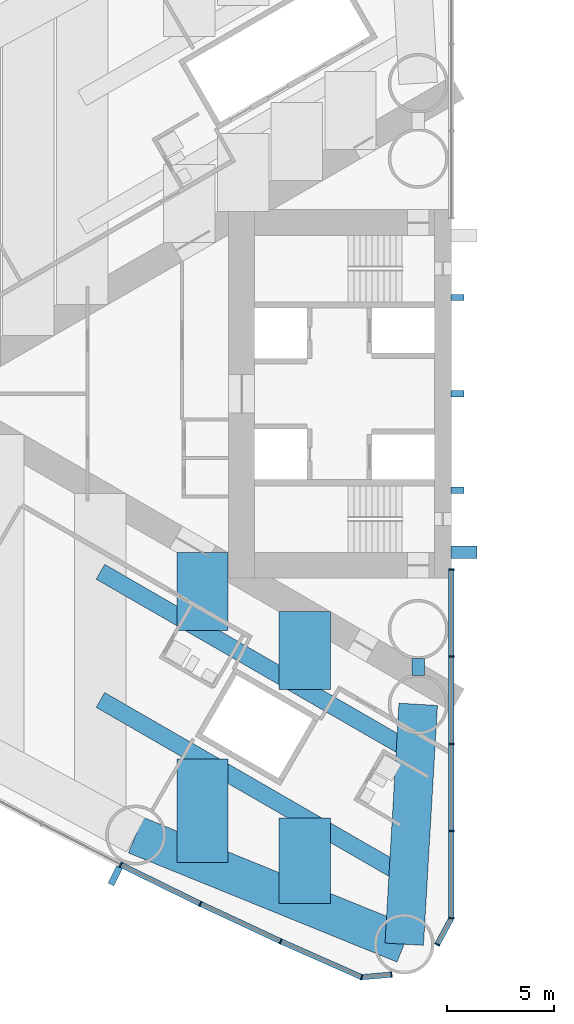
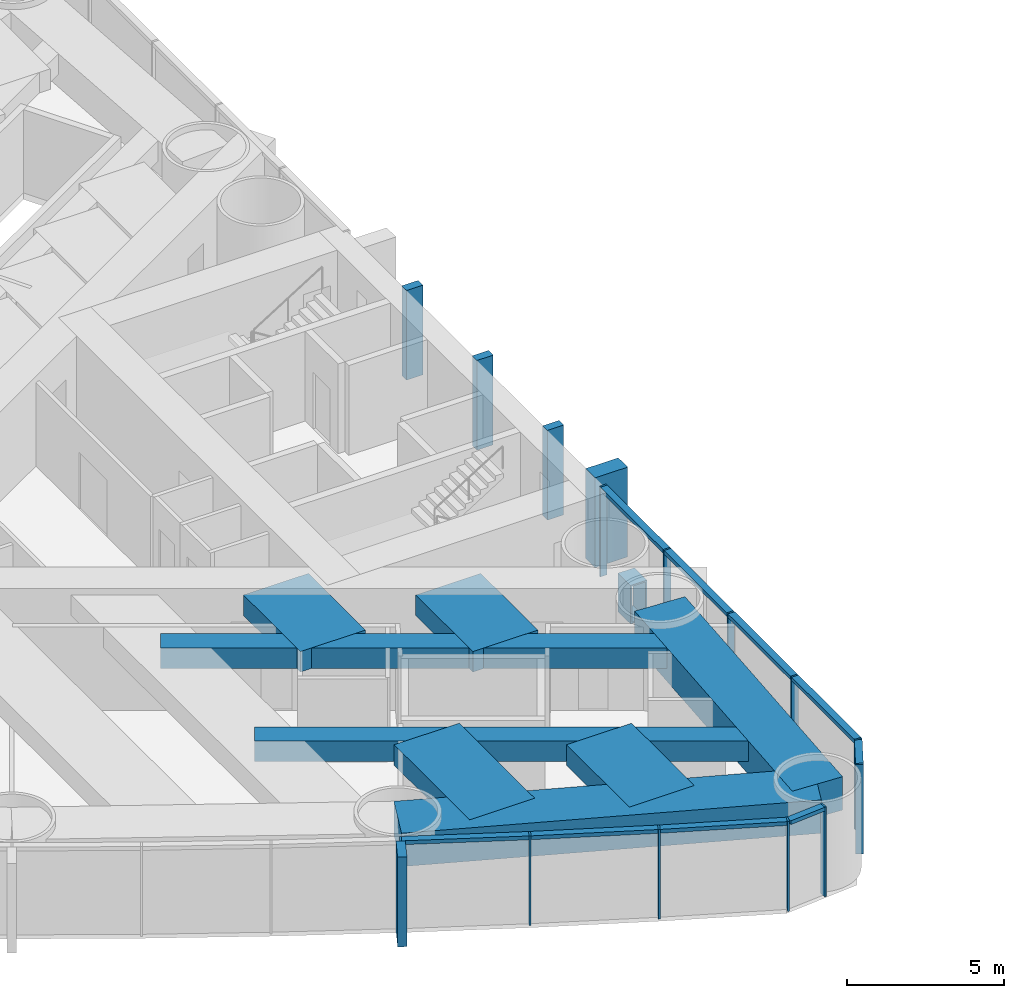
# One storey, part 3 of 18: 25 members, 9 beams, 2 elements without a shape of their own.
"""IFC4 building model written with IfcOpenShell, lengths in metres."""

from ifc_helpers import new_model, si_unit, direction, frame, origin, origin_2d, place, context, subcontext, project, spatial, rectangle, hollow_rectangle, extrude, material, material_profile, profile_set, type_object, element, aggregate, save


model = new_model("IFC4")

# Units and contexts
model_context = context("Model", 3, precision=1e-05, world=origin(), true_north=direction((0.0, 1.0)))
body_context = subcontext(model_context, "Body", "Model", "MODEL_VIEW")
ifc_project = project(units=[si_unit("LENGTHUNIT", "METRE"), si_unit("AREAUNIT", "SQUARE_METRE"), si_unit("VOLUMEUNIT", "CUBIC_METRE"), si_unit("PLANEANGLEUNIT", "RADIAN"), si_unit("MASSUNIT", "GRAM", prefix="KILO")], contexts=[model_context])

# Site, building, storey
site_placement = place(None, origin())
site = spatial("IfcSite", under=ifc_project, at=site_placement, CompositionType="ELEMENT")
building_placement = place(site_placement, origin())
building = spatial("IfcBuilding", under=site, at=building_placement, Name="Lancet Gate Hotel", CompositionType="ELEMENT")
storey_placement = place(building_placement, frame((0.0, 0.0, 49.5)))
storey = spatial("IfcBuildingStorey", under=building, at=storey_placement, Name="L12", CompositionType="ELEMENT", Elevation=49.5)

# Curtain wall, members
ifc_material_1 = material(Name="Aluminium curtain wall", Category="aluminium")
curtain_wall_type = type_object("IfcCurtainWallType", Name="Tower unitised curtain wall", PredefinedType="USERDEFINED", material=ifc_material_1)
curtain_wall_1_placement = place(storey_placement, origin())
curtain_wall_1 = element("IfcCurtainWall", 1, at=curtain_wall_1_placement, inside=storey, type_object=curtain_wall_type, Name="T1 L12 curtain wall 3", ObjectType="UNITISED CURTAIN WALL", PredefinedType="USERDEFINED")
ifc_material_2 = material(Name="Aluminium mullion", Category="aluminium")
ifc_material_profile_1 = material_profile(ifc_material_2, rectangle(XDim=0.06494140625, YDim=0.25, at=origin_2d()), Name="MULLION 65x250")
ifc_profile_set_1 = profile_set([ifc_material_profile_1], Name="Aluminium mullion")
member_type_1 = type_object("IfcMemberType", Name="Aluminium mullion 65x250", PredefinedType="MULLION", material=ifc_profile_set_1)
member_1_placement = place(storey_placement, frame((-42.94189453125, -21.991943359375, 0.0), z_axis=(0.0, 0.0, 1.0), x_axis=(0.893291549794, -0.449477704748, 0.0)))
member_1 = element("IfcMember", 2, at=member_1_placement, type_object=member_type_1, Name="T1 L12 curtain wall 3 mullion 11", PredefinedType="MULLION", context=body_context, shape_type="SweptSolid", body=[
    extrude(rectangle(XDim=0.06494140625, YDim=0.25, at=origin_2d()), origin(), (0.0, 0.0, 1.0), 3.5),
])
member_2_placement = place(storey_placement, frame((-39.225341796875, -23.816650390625, 0.0), z_axis=(0.0, 0.0, 1.0), x_axis=(0.901928838337, -0.431884672772, 0.0)))
member_2 = element("IfcMember", 3, at=member_2_placement, type_object=member_type_1, Name="T1 L12 curtain wall 3 mullion 12", PredefinedType="MULLION", context=body_context, shape_type="SweptSolid", body=[
    extrude(rectangle(XDim=0.06494140625, YDim=0.25, at=origin_2d()), origin(), (0.0, 0.0, 1.0), 3.5),
])
member_3_placement = place(storey_placement, frame((-35.473876953125, -25.568115234375, 0.0), z_axis=(0.0, 0.0, 1.0), x_axis=(0.910219680212, -0.414125746308, 0.0)))
member_3 = element("IfcMember", 4, at=member_3_placement, type_object=member_type_1, Name="T1 L12 curtain wall 3 mullion 13", PredefinedType="MULLION", context=body_context, shape_type="SweptSolid", body=[
    extrude(rectangle(XDim=0.06494140625, YDim=0.25, at=origin_2d()), origin(), (0.0, 0.0, 1.0), 3.5),
])
member_4_placement = place(storey_placement, frame((-31.688720703125, -27.24560546875, 0.0), z_axis=(0.0, 0.0, 1.0), x_axis=(0.957524354695, -0.288352406209, 0.0)))
member_4 = element("IfcMember", 5, at=member_4_placement, type_object=member_type_1, Name="T1 L12 curtain wall 3 mullion 14", PredefinedType="MULLION", context=body_context, shape_type="SweptSolid", body=[
    extrude(rectangle(XDim=0.06494140625, YDim=0.25, at=origin_2d()), origin(), (0.0, 0.0, 1.0), 3.5),
])
member_5_placement = place(storey_placement, frame((-30.3046875, -27.124755859375, 0.0), z_axis=(0.0, 0.0, 1.0), x_axis=(0.99620380374, 0.087051602022, 0.0)))
member_5 = element("IfcMember", 6, at=member_5_placement, type_object=member_type_1, Name="T1 L12 curtain wall 3 mullion 15", PredefinedType="MULLION", context=body_context, shape_type="SweptSolid", body=[
    extrude(rectangle(XDim=0.06494140625, YDim=0.25, at=origin_2d()), origin(), (0.0, 0.0, 1.0), 3.5),
])

curtain_wall_2_placement = place(storey_placement, origin())
curtain_wall_2 = element("IfcCurtainWall", 7, at=curtain_wall_2_placement, inside=storey, type_object=curtain_wall_type, Name="T1 L12 curtain wall 4", ObjectType="UNITISED CURTAIN WALL", PredefinedType="USERDEFINED")
member_6_placement = place(storey_placement, frame((-28.158935546875, -25.712890625, 0.0), z_axis=(0.0, 0.0, 1.0), x_axis=(0.474631040972, 0.880184852714, 0.0)))
member_6 = element("IfcMember", 8, at=member_6_placement, type_object=member_type_1, Name="T1 L12 curtain wall 4 mullion 1", PredefinedType="MULLION", context=body_context, shape_type="SweptSolid", body=[
    extrude(rectangle(XDim=0.06494140625, YDim=0.25, at=origin_2d()), origin(), (0.0, 0.0, 1.0), 3.5),
])
member_7_placement = place(storey_placement, frame((-27.5, -24.4912109375, 0.0), z_axis=(0.0, 0.0, 1.0), x_axis=(0.123482502544, 0.992346749662, 0.0)))
member_7 = element("IfcMember", 9, at=member_7_placement, type_object=member_type_1, Name="T1 L12 curtain wall 4 mullion 2", PredefinedType="MULLION", context=body_context, shape_type="SweptSolid", body=[
    extrude(rectangle(XDim=0.06494140625, YDim=0.25, at=origin_2d()), origin(), (0.0, 0.0, 1.0), 3.5),
])
member_8_placement = place(storey_placement, frame((-27.5, -20.41845703125, 0.0), z_axis=(0.0, 0.0, 1.0), x_axis=(0.0, 1.0, 0.0)))
member_8 = element("IfcMember", 10, at=member_8_placement, type_object=member_type_1, Name="T1 L12 curtain wall 4 mullion 3", PredefinedType="MULLION", context=body_context, shape_type="SweptSolid", body=[
    extrude(rectangle(XDim=0.06494140625, YDim=0.25, at=origin_2d()), origin(), (0.0, 0.0, 1.0), 3.5),
])
member_9_placement = place(storey_placement, frame((-27.5, -16.345703125, 0.0), z_axis=(0.0, 0.0, 1.0), x_axis=(0.0, 1.0, 0.0)))
member_9 = element("IfcMember", 11, at=member_9_placement, type_object=member_type_1, Name="T1 L12 curtain wall 4 mullion 4", PredefinedType="MULLION", context=body_context, shape_type="SweptSolid", body=[
    extrude(rectangle(XDim=0.06494140625, YDim=0.25, at=origin_2d()), origin(), (0.0, 0.0, 1.0), 3.5),
])
member_10_placement = place(storey_placement, frame((-27.5, -12.272705078125, 0.0), z_axis=(0.0, 0.0, 1.0), x_axis=(0.0, 1.0, 0.0)))
member_10 = element("IfcMember", 12, at=member_10_placement, type_object=member_type_1, Name="T1 L12 curtain wall 4 mullion 5", PredefinedType="MULLION", context=body_context, shape_type="SweptSolid", body=[
    extrude(rectangle(XDim=0.06494140625, YDim=0.25, at=origin_2d()), origin(), (0.0, 0.0, 1.0), 3.5),
])
member_11_placement = place(storey_placement, frame((-27.5, -8.199951171875, 0.0), z_axis=(0.0, 0.0, 1.0), x_axis=(0.0, 1.0, 0.0)))
member_11 = element("IfcMember", 13, at=member_11_placement, type_object=member_type_1, Name="T1 L12 curtain wall 4 mullion 6", PredefinedType="MULLION", context=body_context, shape_type="SweptSolid", body=[
    extrude(rectangle(XDim=0.06494140625, YDim=0.25, at=origin_2d()), origin(), (0.0, 0.0, 1.0), 3.5),
])

# Member
ifc_material_3 = material(Name="Aluminium transom", Category="aluminium")
ifc_material_profile_2 = material_profile(ifc_material_3, rectangle(XDim=0.25, YDim=0.14990234375, at=origin_2d()), Name="TRANSOM 250x150")
ifc_profile_set_2 = profile_set([ifc_material_profile_2], Name="Aluminium transom")
member_type_2 = type_object("IfcMemberType", Name="Aluminium transom 250x150", PredefinedType="USERDEFINED", material=ifc_profile_set_2)
member_12_placement = place(storey_placement, frame((-42.912841796875, -22.00634765625, 3.425048828125), z_axis=(0.897662439958, -0.440683723194, 0.0), x_axis=(0.440683723194, 0.897662439958, 0.0)))
member_12 = element("IfcMember", 14, at=member_12_placement, type_object=member_type_2, Name="T1 L12 curtain wall 3 transom 11", ObjectType="TRANSOM", PredefinedType="USERDEFINED", context=body_context, shape_type="SweptSolid", body=[
    extrude(rectangle(XDim=0.25, YDim=0.14990234375, at=origin_2d()), origin(), (0.0, 0.0, 1.0), 4.0751953125),
])

member_13_placement = place(storey_placement, frame((-39.196044921875, -23.830322265625, 3.425048828125), z_axis=(0.906109667261, -0.423042871228, 0.0), x_axis=(0.423042871228, 0.906109667261, 0.0)))
member_13 = element("IfcMember", 15, at=member_13_placement, type_object=member_type_2, Name="T1 L12 curtain wall 3 transom 12", ObjectType="TRANSOM", PredefinedType="USERDEFINED", context=body_context, shape_type="SweptSolid", body=[
    extrude(rectangle(XDim=0.25, YDim=0.14990234375, at=origin_2d()), origin(), (0.0, 0.0, 1.0), 4.075439453125),
])

member_14_placement = place(storey_placement, frame((-35.444091796875, -25.581298828125, 3.425048828125), z_axis=(0.914248281954, -0.405154389022, 0.0), x_axis=(0.405154389022, 0.914248281954, 0.0)))
member_14 = element("IfcMember", 16, at=member_14_placement, type_object=member_type_2, Name="T1 L12 curtain wall 3 transom 13", ObjectType="TRANSOM", PredefinedType="USERDEFINED", context=body_context, shape_type="SweptSolid", body=[
    extrude(rectangle(XDim=0.25, YDim=0.14990234375, at=origin_2d()), origin(), (0.0, 0.0, 1.0), 4.0751953125),
])

member_15_placement = place(storey_placement, frame((-31.65625, -27.242919921875, 3.425048828125), z_axis=(0.99620591587, 0.087027427779, 0.0), x_axis=(-0.087027427779, 0.99620591587, 0.0)))
member_15 = element("IfcMember", 17, at=member_15_placement, type_object=member_type_2, Name="T1 L12 curtain wall 3 transom 14", ObjectType="TRANSOM", PredefinedType="USERDEFINED", context=body_context, shape_type="SweptSolid", body=[
    extrude(rectangle(XDim=0.25, YDim=0.14990234375, at=origin_2d()), origin(), (0.0, 0.0, 1.0), 1.32421875),
])

member_16_placement = place(storey_placement, frame((-28.143310546875, -25.684326171875, 3.425048828125), z_axis=(0.474605926905, 0.880198394765, 0.0), x_axis=(-0.880198394765, 0.474605926905, 0.0)))
member_16 = element("IfcMember", 18, at=member_16_placement, type_object=member_type_2, Name="T1 L12 curtain wall 4 transom 1", ObjectType="TRANSOM", PredefinedType="USERDEFINED", context=body_context, shape_type="SweptSolid", body=[
    extrude(rectangle(XDim=0.25, YDim=0.14990234375, at=origin_2d()), origin(), (0.0, 0.0, 1.0), 1.322998046875),
])

member_17_placement = place(storey_placement, frame((-27.5, -24.458740234375, 3.425048828125), z_axis=(0.0, 1.0, 0.0), x_axis=(-1.0, 0.0, 0.0)))
member_17 = element("IfcMember", 19, at=member_17_placement, type_object=member_type_2, Name="T1 L12 curtain wall 4 transom 2", ObjectType="TRANSOM", PredefinedType="USERDEFINED", context=body_context, shape_type="SweptSolid", body=[
    extrude(rectangle(XDim=0.25, YDim=0.14990234375, at=origin_2d()), origin(), (0.0, 0.0, 1.0), 4.0078125),
])

member_18_placement = place(storey_placement, frame((-27.5, -20.385986328125, 3.425048828125), z_axis=(0.0, 1.0, 0.0), x_axis=(-1.0, 0.0, 0.0)))
member_18 = element("IfcMember", 20, at=member_18_placement, type_object=member_type_2, Name="T1 L12 curtain wall 4 transom 3", ObjectType="TRANSOM", PredefinedType="USERDEFINED", context=body_context, shape_type="SweptSolid", body=[
    extrude(rectangle(XDim=0.25, YDim=0.14990234375, at=origin_2d()), origin(), (0.0, 0.0, 1.0), 4.0078125),
])

member_19_placement = place(storey_placement, frame((-27.5, -16.31298828125, 3.425048828125), z_axis=(0.0, 1.0, 0.0), x_axis=(-1.0, 0.0, 0.0)))
member_19 = element("IfcMember", 21, at=member_19_placement, type_object=member_type_2, Name="T1 L12 curtain wall 4 transom 4", ObjectType="TRANSOM", PredefinedType="USERDEFINED", context=body_context, shape_type="SweptSolid", body=[
    extrude(rectangle(XDim=0.25, YDim=0.14990234375, at=origin_2d()), origin(), (0.0, 0.0, 1.0), 4.0078125),
])

member_20_placement = place(storey_placement, frame((-27.5, -12.240234375, 3.425048828125), z_axis=(0.0, 1.0, 0.0), x_axis=(-1.0, 0.0, 0.0)))
member_20 = element("IfcMember", 22, at=member_20_placement, type_object=member_type_2, Name="T1 L12 curtain wall 4 transom 5", ObjectType="TRANSOM", PredefinedType="USERDEFINED", context=body_context, shape_type="SweptSolid", body=[
    extrude(rectangle(XDim=0.25, YDim=0.14990234375, at=origin_2d()), origin(), (0.0, 0.0, 1.0), 4.0078125),
])

aggregate(curtain_wall_2, [member_6, member_7, member_8, member_9, member_10, member_11, member_16, member_17, member_18, member_19, member_20])

# Beams
ifc_material_4 = material(Name="Concrete C50/60", Category="concrete")
ifc_material_profile_3 = material_profile(ifc_material_4, rectangle(XDim=1.800048828125, YDim=1.300048828125, at=origin_2d()), Name="RC 1800x1300")
ifc_profile_set_3 = profile_set([ifc_material_profile_3], Name="Concrete C50/60")
beam_type_1 = type_object("IfcBeamType", Name="Edge beam RC 1800x1300", PredefinedType="SPANDREL", material=ifc_profile_set_3)
beam_1_placement = place(storey_placement, frame((-42.2451171875, -20.607421875, 2.60009765625), z_axis=(0.926463236197, -0.376385270667, 0.0), x_axis=(0.376385270667, 0.926463236197, 0.0)))
element("IfcBeam", 23, at=beam_1_placement, inside=storey, type_object=beam_type_1, Name="T1 edge beam EB1 L12", PredefinedType="SPANDREL", context=body_context, shape_type="SweptSolid", body=[
    extrude(rectangle(XDim=1.800048828125, YDim=1.300048828125, at=origin_2d()), origin(), (0.0, 0.0, 1.0), 13.537353515625),
])
beam_2_placement = place(storey_placement, frame((-29.050048828125, -14.5, 2.60009765625), z_axis=(-0.058219521912, -0.998303805096, 0.0), x_axis=(0.998303805096, -0.058219521912, 0.0)))
element("IfcBeam", 24, at=beam_2_placement, inside=storey, type_object=beam_type_1, Name="T1 edge beam EB1 L12", PredefinedType="SPANDREL", context=body_context, shape_type="SweptSolid", body=[
    extrude(rectangle(XDim=1.800048828125, YDim=1.300048828125, at=origin_2d()), origin(), (0.0, 0.0, 1.0), 11.2216796875),
])

# Member
ifc_material_5 = material(Name="Concrete C60/75", Category="concrete")
ifc_material_profile_4 = material_profile(ifc_material_5, rectangle(XDim=0.60009765625, YDim=1.199951171875, at=origin_2d()), Name="FIN 600x1200")
ifc_profile_set_4 = profile_set([ifc_material_profile_4], Name="Concrete C60/75")
member_type_3 = type_object("IfcMemberType", Name="Exposed concrete buttress pilaster 600x1200", PredefinedType="USERDEFINED", material=ifc_profile_set_4)
member_21_placement = place(storey_placement, frame((-26.909912109375, -7.39990234375, 0.0), z_axis=(0.0, 0.0, 1.0), x_axis=(0.0, 1.0, 0.0)))
element("IfcMember", 25, at=member_21_placement, inside=storey, type_object=member_type_3, Name="T1 buttress pilaster N L12", ObjectType="FIN", PredefinedType="USERDEFINED", context=body_context, shape_type="SweptSolid", body=[
    extrude(rectangle(XDim=0.60009765625, YDim=1.199951171875, at=origin_2d()), origin(), (0.0, 0.0, 1.0), 3.5),
])

ifc_material_6 = material(Name="Precast concrete C50/60", Category="concrete")
ifc_material_profile_5 = material_profile(ifc_material_6, rectangle(XDim=0.300048828125, YDim=0.89990234375, at=origin_2d()), Name="FIN 300x900")
ifc_profile_set_5 = profile_set([ifc_material_profile_5], Name="Precast concrete C50/60")
member_type_4 = type_object("IfcMemberType", Name="Exposed concrete fin 300x900", PredefinedType="USERDEFINED", material=ifc_profile_set_5)
member_22_placement = place(storey_placement, frame((-43.200439453125, -22.505615234375, 0.0), z_axis=(0.0, 0.0, 1.0), x_axis=(0.893291549794, -0.449477704748, 0.0)))
member_22 = element("IfcMember", 26, at=member_22_placement, type_object=member_type_4, Name="T1 L12 curtain wall 3 fin 11", ObjectType="FIN", PredefinedType="USERDEFINED", context=body_context, shape_type="SweptSolid", body=[
    extrude(rectangle(XDim=0.300048828125, YDim=0.89990234375, at=origin_2d()), origin(), (0.0, 0.0, 1.0), 3.5),
])

aggregate(curtain_wall_1, [member_1, member_22, member_2, member_3, member_4, member_5, member_12, member_13, member_14, member_15])

# Members
ifc_material_7 = material(Name="Concrete C60/75", Category="concrete")
ifc_material_profile_6 = material_profile(ifc_material_7, rectangle(XDim=0.300048828125, YDim=0.60009765625, at=origin_2d()), Name="FIN 300x600")
ifc_profile_set_6 = profile_set([ifc_material_profile_6], Name="Concrete C60/75")
member_type_5 = type_object("IfcMemberType", Name="Exposed concrete rib 300x600", PredefinedType="USERDEFINED", material=ifc_profile_set_6)
for number, where, z_axis, x_axis, name in (
    (27, (-27.2099609375, 4.5, 0.0), (0.0, 0.0, 1.0), (0.0, 1.0, 0.0), "T1 core rib 1 L12"),
    (28, (-27.2099609375, 0.0, 0.0), (0.0, 0.0, 1.0), (0.0, 1.0, 0.0), "T1 core rib 2 L12"),
    (29, (-27.2099609375, -4.5, 0.0), (0.0, 0.0, 1.0), (0.0, 1.0, 0.0), "T1 core rib 3 L12"),
):
    element("IfcMember", number, at=place(storey_placement, frame(where, z_axis=z_axis, x_axis=x_axis)), inside=storey, type_object=member_type_5, Name=name, ObjectType="FIN", PredefinedType="USERDEFINED", context=body_context, shape_type="SweptSolid", body=[
        extrude(rectangle(XDim=0.300048828125, YDim=0.60009765625, at=origin_2d()), origin(), (0.0, 0.0, 1.0), 3.5),
    ])

# Beams
ifc_material_8 = material(Name="Concrete C50/60", Category="concrete")
ifc_material_profile_7 = material_profile(ifc_material_8, rectangle(XDim=2.39990234375, YDim=0.800048828125, at=origin_2d()), Name="RC 2400x800")
ifc_profile_set_7 = profile_set([ifc_material_profile_7], Name="Concrete C50/60")
beam_type_2 = type_object("IfcBeamType", Name="Floor beam RC 2400x800", PredefinedType="BEAM", material=ifc_profile_set_7)
beam_3_placement = place(storey_placement, frame((-34.353515625, -10.169921875, 2.85009765625), z_axis=(0.0, -1.0, 0.0), x_axis=(1.0, 0.0, 0.0)))
element("IfcBeam", 30, at=beam_3_placement, inside=storey, type_object=beam_type_2, Name="T1 floor beam F03NA L12", PredefinedType="BEAM", context=body_context, shape_type="SweptSolid", body=[
    extrude(rectangle(XDim=2.39990234375, YDim=0.800048828125, at=origin_2d()), origin(), (0.0, 0.0, 1.0), 3.645751953125),
])
beam_4_placement = place(storey_placement, frame((-34.353515625, -19.802978515625, 2.85009765625), z_axis=(0.0, -1.0, 0.0), x_axis=(1.0, 0.0, 0.0)))
element("IfcBeam", 31, at=beam_4_placement, inside=storey, type_object=beam_type_2, Name="T1 floor beam F03NB L12", PredefinedType="BEAM", context=body_context, shape_type="SweptSolid", body=[
    extrude(rectangle(XDim=2.39990234375, YDim=0.800048828125, at=origin_2d()), origin(), (0.0, 0.0, 1.0), 4.010498046875),
])
beam_5_placement = place(storey_placement, frame((-39.122314453125, -7.41650390625, 2.85009765625), z_axis=(0.0, -1.0, 0.0), x_axis=(1.0, 0.0, 0.0)))
element("IfcBeam", 32, at=beam_5_placement, inside=storey, type_object=beam_type_2, Name="T1 floor beam F06NA L12", PredefinedType="BEAM", context=body_context, shape_type="SweptSolid", body=[
    extrude(rectangle(XDim=2.39990234375, YDim=0.800048828125, at=origin_2d()), origin(), (0.0, 0.0, 1.0), 3.64599609375),
])
beam_6_placement = place(storey_placement, frame((-39.122314453125, -17.0498046875, 2.85009765625), z_axis=(0.0, -1.0, 0.0), x_axis=(1.0, 0.0, 0.0)))
element("IfcBeam", 33, at=beam_6_placement, inside=storey, type_object=beam_type_2, Name="T1 floor beam F06NB L12", PredefinedType="BEAM", context=body_context, shape_type="SweptSolid", body=[
    extrude(rectangle(XDim=2.39990234375, YDim=0.800048828125, at=origin_2d()), origin(), (0.0, 0.0, 1.0), 4.826416015625),
])
ifc_material_9 = material(Name="Steel S460QL", Category="steel")
ifc_material_profile_8 = material_profile(ifc_material_9, hollow_rectangle(XDim=0.60009765625, YDim=1.5, WallThickness=0.050048828125, at=origin_2d()), Name="BOX 1500x600x50")
ifc_profile_set_8 = profile_set([ifc_material_profile_8], Name="Steel S460QL")
beam_type_3 = type_object("IfcBeamType", Name="Inner-face link beam BOX 1500x600x50", PredefinedType="BEAM", material=ifc_profile_set_8)
beam_7_placement = place(storey_placement, frame((-29.050048828125, -12.35009765625, 2.5), z_axis=(0.0, -1.0, 0.0), x_axis=(1.0, 0.0, 0.0)))
element("IfcBeam", 34, at=beam_7_placement, inside=storey, type_object=beam_type_3, Name="T1 inner-face link beam LK1 L12", PredefinedType="BEAM", context=body_context, shape_type="SweptSolid", body=[
    extrude(hollow_rectangle(XDim=0.60009765625, YDim=1.5, WallThickness=0.050048828125, at=origin_2d()), origin(), (0.0, 0.0, 1.0), 0.7998046875),
])
ifc_material_10 = material(Name="Steel S460QL", Category="steel")
ifc_material_profile_9 = material_profile(ifc_material_10, hollow_rectangle(XDim=0.800048828125, YDim=0.800048828125, WallThickness=0.080078125, at=origin_2d()), Name="BOX 800x800x80")
ifc_profile_set_9 = profile_set([ifc_material_profile_9], Name="Steel S460QL")
beam_type_4 = type_object("IfcBeamType", Name="Trimmer beam BOX 800x800x80", PredefinedType="BEAM", material=ifc_profile_set_9)
for number, where, z_axis, x_axis, name in (
    (35, (-29.58447265625, -22.55615234375, 2.85009765625), (-0.866040141834, 0.49997447208, 0.0), (-0.49997447208, -0.866040141834, 0.0), "T1 trimmer beam TR03N L12"),
    (36, (-29.58447265625, -16.56884765625, 2.85009765625), (-0.866040141834, 0.49997447208, 0.0), (-0.49997447208, -0.866040141834, 0.0), "T1 trimmer beam TR04N L12"),
):
    element("IfcBeam", number, at=place(storey_placement, frame(where, z_axis=z_axis, x_axis=x_axis)), inside=storey, type_object=beam_type_4, Name=name, PredefinedType="BEAM", context=body_context, shape_type="SweptSolid", body=[
        extrude(hollow_rectangle(XDim=0.800048828125, YDim=0.800048828125, WallThickness=0.080078125, at=origin_2d()), origin(), (0.0, 0.0, 1.0), 16.519775390625),
    ])

save(model, "model.ifc")
